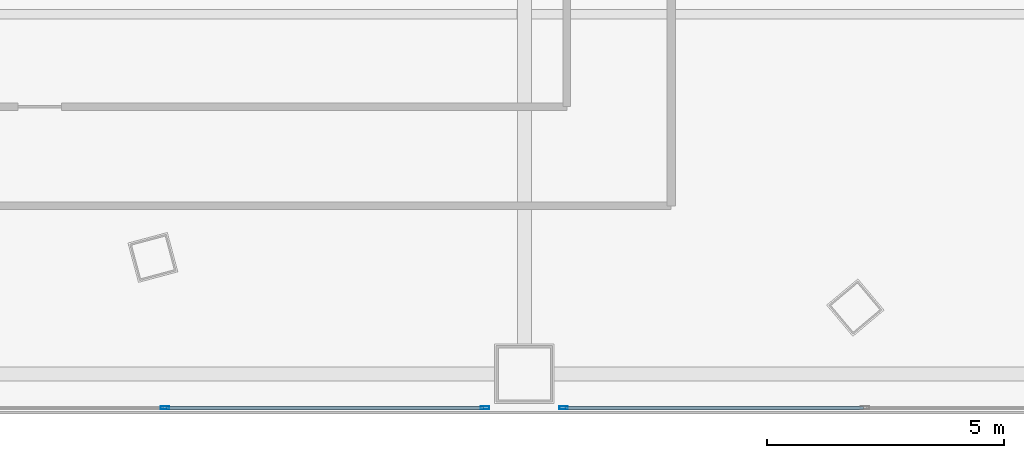
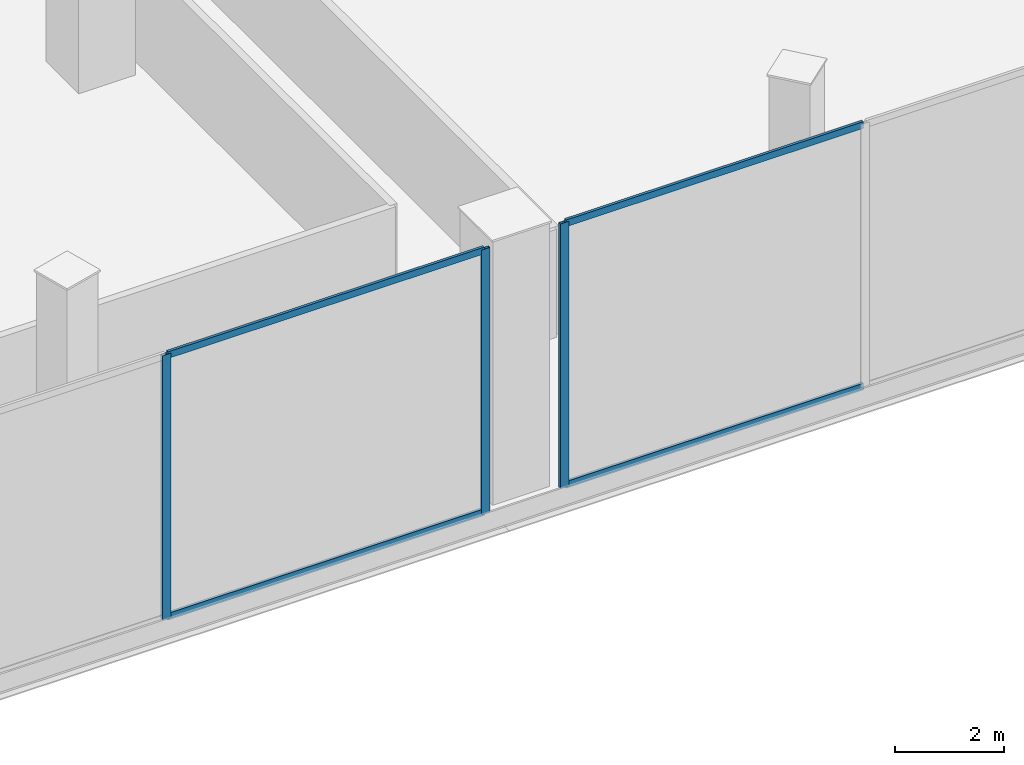
# One storey, part 11 of 41: 7 members, 2 elements without a shape of their own.
"""IFC4 building model written with IfcOpenShell, lengths in metres."""

from ifc_helpers import new_model, si_unit, direction, frame, origin, origin_2d, place, context, subcontext, project, spatial, hollow_rectangle, extrude, source, transform, mapped, material, layer, layer_set, material_profile, profile_set, type_object, element, aggregate, save


model = new_model("IFC4")

# Units and contexts
model_context = context("Model", 3, precision=1e-05, world=origin(), true_north=direction((0.0, 1.0)))
body_context = subcontext(model_context, "Body", "Model", "MODEL_VIEW")
ifc_project = project(units=[si_unit("LENGTHUNIT", "METRE"), si_unit("AREAUNIT", "SQUARE_METRE"), si_unit("VOLUMEUNIT", "CUBIC_METRE"), si_unit("PLANEANGLEUNIT", "RADIAN"), si_unit("MASSUNIT", "GRAM", prefix="KILO"), si_unit("THERMODYNAMICTEMPERATUREUNIT", "KELVIN"), si_unit("POWERUNIT", "WATT")], contexts=[model_context])

# Site, building, storey
site_placement = place(None, origin())
site = spatial("IfcSite", under=ifc_project, at=site_placement, CompositionType="ELEMENT")
building_placement = place(site_placement, origin())
building = spatial("IfcBuilding", under=site, at=building_placement, Name="Yunzhuo Pagoda Commons", CompositionType="ELEMENT")
storey_placement = place(building_placement, frame((0.0, 0.0, 19.199951171875)))
storey = spatial("IfcBuildingStorey", under=building, at=storey_placement, Name="L05", CompositionType="ELEMENT", Elevation=19.199951171875)

# Curtain wall, members
ifc_material = material(Name="Anodized aluminium 6063-T6", Category="aluminium")
ifc_layer = layer(ifc_material, 0.179931640625)
ifc_layer_set = layer_set([ifc_layer], Name="Anodized aluminium 6063-T6")
curtain_wall_type = type_object("IfcCurtainWallType", Name="CW-POD Waterfront Podium Curtain Wall", PredefinedType="NOTDEFINED", material=ifc_layer_set)
curtain_wall_1_placement = place(storey_placement, origin())
curtain_wall_1 = element("IfcCurtainWall", 1, at=curtain_wall_1_placement, inside=storey, type_object=curtain_wall_type, Name="L05 curtain wall CW-L05-S4", PredefinedType="NOTDEFINED")
ifc_material_profile_1 = material_profile(ifc_material, hollow_rectangle(XDim=0.06005859375, YDim=0.14990234375, WallThickness=0.00390625, at=origin_2d()), Name="Anodized aluminium 6063-T6")
ifc_profile_set_1 = profile_set([ifc_material_profile_1], Name="Anodized aluminium 6063-T6")
member_type_1 = type_object("IfcMemberType", Name="CW-POD-T Transom RHS 150x60x4", PredefinedType="USERDEFINED", material=ifc_profile_set_1)
shared_shape_1 = source(origin(), body_context, "Body", "SweptSolid", [
    extrude(hollow_rectangle(XDim=0.06005859375, YDim=0.14990234375, WallThickness=0.00390625, at=origin_2d()), origin(), (0.0, 0.0, 1.0), 6.302490234375),
])
member_1_placement = place(storey_placement, frame((63.264892578125, 6.080078125, 0.0302734375), z_axis=(1.0, 0.0, 0.0), x_axis=(0.0, 1.0, 0.0)))
member_1 = element("IfcMember", 2, at=member_1_placement, type_object=member_type_1, Name="CW transom 1.1", ObjectType="TRANSOM", PredefinedType="USERDEFINED", context=body_context, shape_type="MappedRepresentation", body=[
    mapped(shared_shape_1, transform((0.0, 0.0, 0.0), scale=1.0)),
])
member_2_placement = place(storey_placement, frame((63.264892578125, 6.080078125, 5.89013671875), z_axis=(1.0, 0.0, 0.0), x_axis=(0.0, 1.0, 0.0)))
member_2 = element("IfcMember", 3, at=member_2_placement, type_object=member_type_1, Name="CW transom 1.2", ObjectType="TRANSOM", PredefinedType="USERDEFINED", context=body_context, shape_type="MappedRepresentation", body=[
    mapped(shared_shape_1, transform((0.0, 0.0, 0.0), scale=1.0)),
])

curtain_wall_2_placement = place(storey_placement, origin())
curtain_wall_2 = element("IfcCurtainWall", 4, at=curtain_wall_2_placement, inside=storey, type_object=curtain_wall_type, Name="L05 curtain wall CW-L05-S3", PredefinedType="NOTDEFINED")
shared_shape_2 = source(origin(), body_context, "Body", "SweptSolid", [
    extrude(hollow_rectangle(XDim=0.06005859375, YDim=0.14990234375, WallThickness=0.00390625, at=origin_2d()), origin(), (0.0, 0.0, 1.0), 6.7021484375),
])
member_3_placement = place(storey_placement, frame((54.832763671875, 6.080078125, 0.0302734375), z_axis=(1.0, 0.0, 0.0), x_axis=(0.0, 1.0, 0.0)))
member_3 = element("IfcMember", 5, at=member_3_placement, type_object=member_type_1, Name="CW transom 4.1", ObjectType="TRANSOM", PredefinedType="USERDEFINED", context=body_context, shape_type="MappedRepresentation", body=[
    mapped(shared_shape_2, transform((0.0, 0.0, 0.0), scale=1.0)),
])
member_4_placement = place(storey_placement, frame((54.832763671875, 6.080078125, 5.89013671875), z_axis=(1.0, 0.0, 0.0), x_axis=(0.0, 1.0, 0.0)))
member_4 = element("IfcMember", 6, at=member_4_placement, type_object=member_type_1, Name="CW transom 4.2", ObjectType="TRANSOM", PredefinedType="USERDEFINED", context=body_context, shape_type="MappedRepresentation", body=[
    mapped(shared_shape_2, transform((0.0, 0.0, 0.0), scale=1.0)),
])
ifc_material_profile_2 = material_profile(ifc_material, hollow_rectangle(XDim=0.06494140625, YDim=0.179931640625, WallThickness=0.00390625, at=origin_2d()), Name="Anodized aluminium 6063-T6")
ifc_profile_set_2 = profile_set([ifc_material_profile_2], Name="Anodized aluminium 6063-T6")
member_type_2 = type_object("IfcMemberType", Name="CW-POD-M Mullion RHS 180x65x4", PredefinedType="MULLION", material=ifc_profile_set_2)
shared_shape_3 = source(origin(), body_context, "Body", "SweptSolid", [
    extrude(hollow_rectangle(XDim=0.06494140625, YDim=0.179931640625, WallThickness=0.00390625, at=origin_2d()), origin(), (0.0, 0.0, 1.0), 5.920166015625),
])
member_5_placement = place(storey_placement, frame((54.800048828125, 6.080078125, 0.0), z_axis=(0.0, 0.0, 1.0), x_axis=(0.0, 1.0, 0.0)))
member_5 = element("IfcMember", 7, at=member_5_placement, type_object=member_type_2, Name="CW mullion 4", PredefinedType="MULLION", context=body_context, shape_type="MappedRepresentation", body=[
    mapped(shared_shape_3, transform((0.0, 0.0, 0.0), scale=1.0)),
])
member_6_placement = place(storey_placement, frame((61.5673828125, 6.080078125, 0.0), z_axis=(0.0, 0.0, 1.0), x_axis=(0.0, 1.0, 0.0)))
member_6 = element("IfcMember", 8, at=member_6_placement, type_object=member_type_2, Name="CW mullion 5", PredefinedType="MULLION", context=body_context, shape_type="MappedRepresentation", body=[
    mapped(shared_shape_3, transform((0.0, 0.0, 0.0), scale=1.0)),
])
aggregate(curtain_wall_2, [member_5, member_6, member_3, member_4])

# Member
member_7_placement = place(storey_placement, frame((63.232421875, 6.080078125, 0.0), z_axis=(0.0, 0.0, 1.0), x_axis=(0.0, 1.0, 0.0)))
member_7 = element("IfcMember", 9, at=member_7_placement, type_object=member_type_2, Name="CW mullion 1", PredefinedType="MULLION", context=body_context, shape_type="MappedRepresentation", body=[
    mapped(shared_shape_3, transform((0.0, 0.0, 0.0), scale=1.0)),
])

aggregate(curtain_wall_1, [member_7, member_1, member_2])

save(model, "model.ifc")
